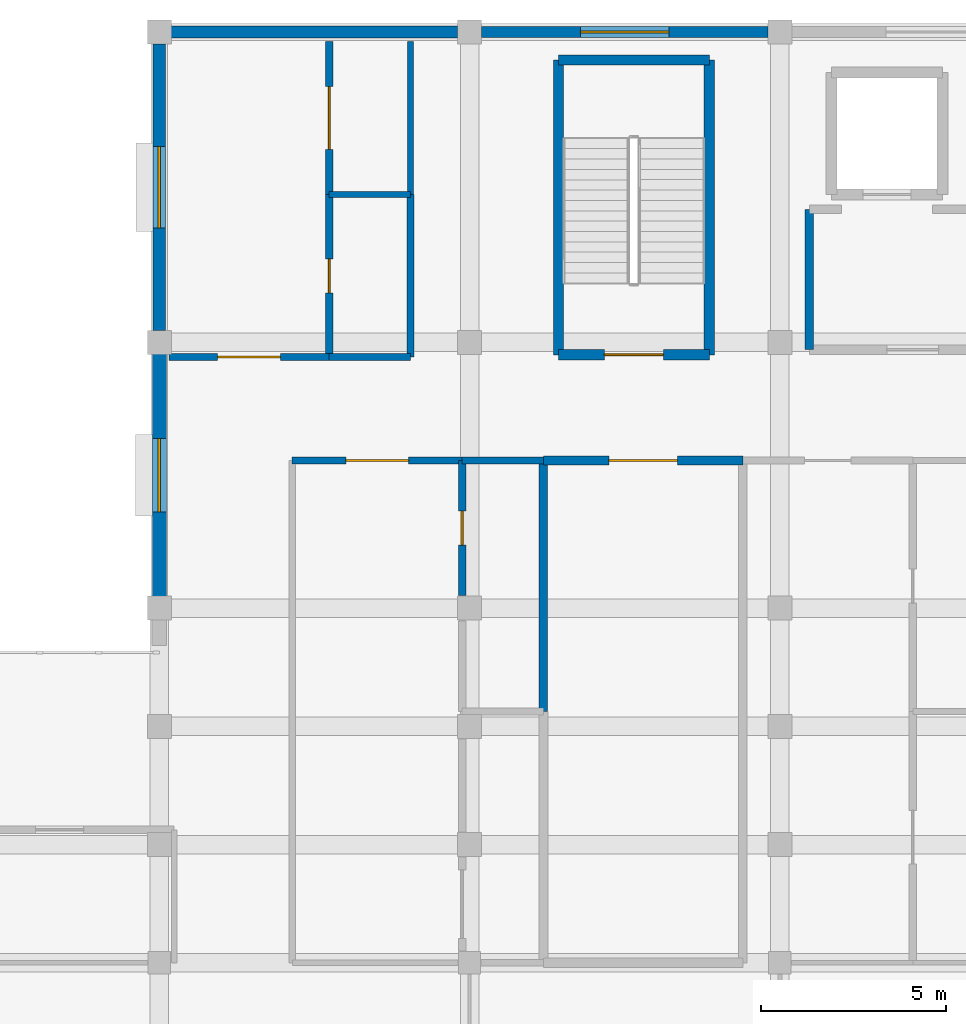
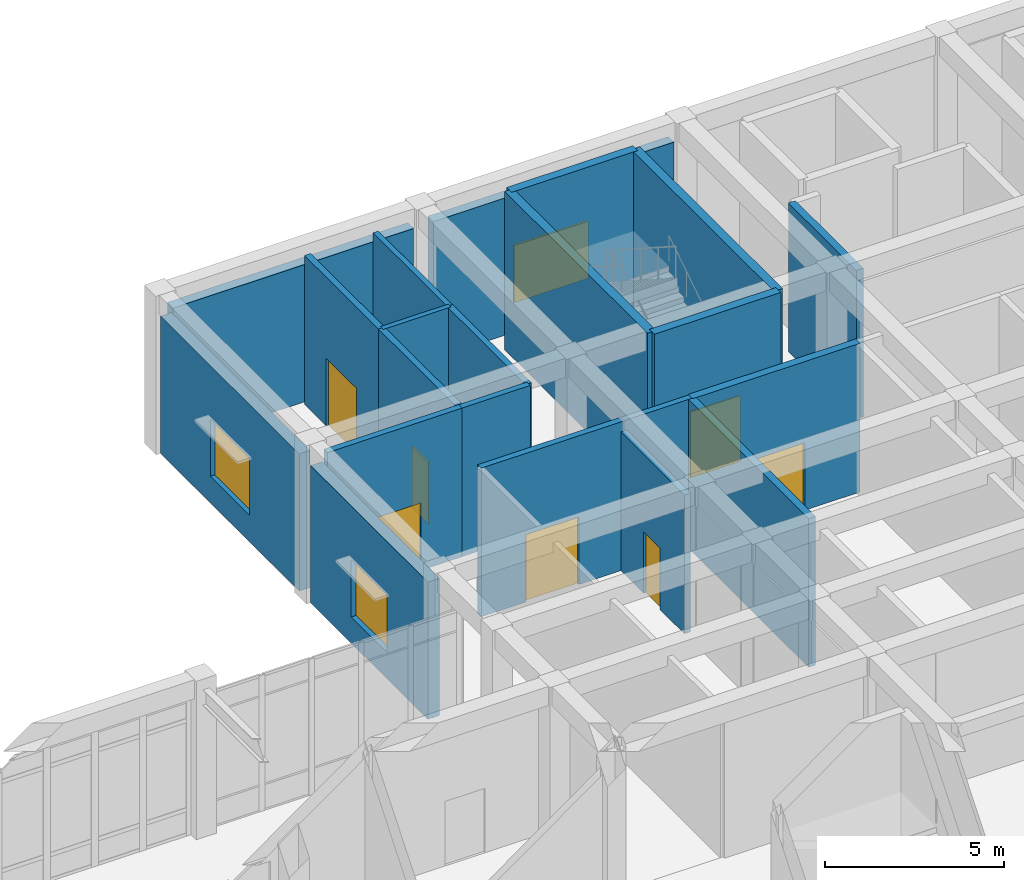
# One storey, part 63 of 89: 21 walls, 7 doors, 3 windows, 10 openings.
"""IFC4 building model written with IfcOpenShell, lengths in metres."""

from ifc_helpers import new_model, si_unit, direction, frame, frame_2d, origin, place, context, subcontext, project, spatial, rectangle, extrude, material, layer, layer_set, type_object, element, fill, save


model = new_model("IFC4")

# Units and contexts
model_context = context("Model", 3, precision=1e-05, world=origin(), true_north=direction((0.0, 1.0)))
body_context = subcontext(model_context, "Body", "Model", "MODEL_VIEW")
ifc_project = project(units=[si_unit("LENGTHUNIT", "METRE"), si_unit("AREAUNIT", "SQUARE_METRE"), si_unit("VOLUMEUNIT", "CUBIC_METRE"), si_unit("PLANEANGLEUNIT", "RADIAN"), si_unit("MASSUNIT", "GRAM", prefix="KILO")], contexts=[model_context])

# Site, building, storey
site_placement = place(None, origin())
site = spatial("IfcSite", under=ifc_project, at=site_placement, CompositionType="ELEMENT")
building_placement = place(site_placement, origin())
building = spatial("IfcBuilding", under=site, at=building_placement, Name="Varncliffe General Hospital", CompositionType="ELEMENT")
storey_placement = place(building_placement, frame((0.0, 0.0, 10.800048828125)))
storey = spatial("IfcBuildingStorey", under=building, at=storey_placement, Name="L02", CompositionType="ELEMENT", Elevation=10.800048828125)

# Wall, opening, window
ifc_material_1 = material(Name="Precast concrete C40/50 with insulated cream lime-cement stucco", Category="concrete")
ifc_layer_1 = layer(ifc_material_1, 0.31005859375)
ifc_layer_set_1 = layer_set([ifc_layer_1], Name="Precast concrete C40/50 with insulated cream lime-cement stucco")
wall_type_1 = type_object("IfcWallType", Name="Exterior Insulated Stucco Wall EW20 (310mm)", PredefinedType="SOLIDWALL", material=ifc_layer_set_1)
wall_1_placement = place(storey_placement, frame((117.923095703125, 124.800048828125, 0.0), z_axis=(0.0, 0.0, 1.0), x_axis=(1.0, 0.0, 0.0)))
wall_1 = element("IfcWall", 1, at=wall_1_placement, inside=storey, type_object=wall_type_1, Name="L02 Exterior Stucco Wall EW20-187", PredefinedType="SOLIDWALL", context=body_context, shape_type="SweptSolid", body=[
    extrude(rectangle(XDim=7.75390625, YDim=0.31005859375, at=frame_2d((3.876953125, 0.0))), origin(), (0.0, 0.0, 1.0), 4.679931640625),
])
opening_1_placement = place(wall_1_placement, frame((2.677001953125, 0.0, 0.89990234375)))
opening_1 = element("IfcOpeningElement", 2, at=opening_1_placement, cuts=wall_1, Name="Opening WN16", PredefinedType="OPENING", context=body_context, shape_type="SweptSolid", body=[
    extrude(rectangle(XDim=2.39990234375, YDim=1.949951171875, at=frame_2d((1.199951171875, 0.97509765625))), frame((0.0, 0.1650390625, 0.0), z_axis=(0.0, -1.0, 0.0), x_axis=(1.0, 0.0, 0.0)), (0.0, 0.0, 1.0), 0.330078125),
])
ifc_material_2 = material(Name="Triple low-E argon insulated vision glazing", Category="glass")
window_type_1 = type_object("IfcWindowType", Name="Triple-Glazed Hospital Window WN16 (2400x1950)", PartitioningType="DOUBLE_PANEL_VERTICAL", PredefinedType="WINDOW", material=ifc_material_2)
window_1_placement = place(opening_1_placement, origin())
window_1 = element("IfcWindow", 3, at=window_1_placement, inside=storey, type_object=window_type_1, Name="L02 Hospital Window WN16-119", OverallHeight=1.949951171875, OverallWidth=2.39990234375, PartitioningType="DOUBLE_PANEL_VERTICAL", PredefinedType="WINDOW", context=body_context, shape_type="SweptSolid", body=[
    extrude(rectangle(XDim=2.39990234375, YDim=1.949951171875, at=frame_2d((1.199951171875, 0.97509765625))), frame((0.0, 0.030029296875, 0.0), z_axis=(0.0, -1.0, 0.0), x_axis=(1.0, 0.0, 0.0)), (0.0, 0.0, 1.0), 0.06005859375),
])
fill(opening_1, window_1)

ifc_layer_2 = layer(ifc_material_1, 0.3798828125)
ifc_layer_set_2 = layer_set([ifc_layer_2], Name="Precast concrete C40/50 with insulated cream lime-cement stucco")
wall_type_2 = type_object("IfcWallType", Name="Exterior Insulated Stucco Wall EW26 (380mm)", PredefinedType="SOLIDWALL", material=ifc_layer_set_2)
wall_2_placement = place(storey_placement, frame((109.199951171875, 109.52294921875, 0.0), z_axis=(0.0, 0.0, 1.0), x_axis=(0.0, 1.0, 0.0)))
wall_2 = element("IfcWall", 4, at=wall_2_placement, inside=storey, type_object=wall_type_2, Name="L02 Exterior Stucco Wall EW26-184", PredefinedType="SOLIDWALL", context=body_context, shape_type="SweptSolid", body=[
    extrude(rectangle(XDim=6.553955078125, YDim=0.3798828125, at=frame_2d((3.27685546875, 0.0))), origin(), (0.0, 0.0, 1.0), 4.679931640625),
])
opening_2_placement = place(wall_2_placement, frame((2.277099609375, 0.0, 0.89990234375)))
opening_2 = element("IfcOpeningElement", 5, at=opening_2_placement, cuts=wall_2, Name="Opening WN79", PredefinedType="OPENING", context=body_context, shape_type="SweptSolid", body=[
    extrude(rectangle(XDim=2.0, YDim=1.949951171875, at=frame_2d((1.0, 0.97509765625))), frame((0.0, 0.199951171875, 0.0), z_axis=(0.0, -1.0, 0.0), x_axis=(1.0, 0.0, 0.0)), (0.0, 0.0, 1.0), 0.39990234375),
])
window_type_2 = type_object("IfcWindowType", Name="Triple-Glazed Hospital Window WN79 (2000x1950)", PartitioningType="DOUBLE_PANEL_VERTICAL", PredefinedType="WINDOW", material=ifc_material_2)
window_2_placement = place(opening_2_placement, origin())
window_2 = element("IfcWindow", 6, at=window_2_placement, inside=storey, type_object=window_type_2, Name="L02 Hospital Window WN79-117", OverallHeight=1.949951171875, OverallWidth=2.0, PartitioningType="DOUBLE_PANEL_VERTICAL", PredefinedType="WINDOW", context=body_context, shape_type="SweptSolid", body=[
    extrude(rectangle(XDim=2.0, YDim=1.949951171875, at=frame_2d((1.0, 0.97509765625))), frame((0.0, 0.030029296875, 0.0), z_axis=(0.0, -1.0, 0.0), x_axis=(1.0, 0.0, 0.0)), (0.0, 0.0, 1.0), 0.06005859375),
])
fill(opening_2, window_2)

# Wall
ifc_layer_3 = layer(ifc_material_1, 0.330078125)
ifc_layer_set_3 = layer_set([ifc_layer_3], Name="Precast concrete C40/50 with insulated cream lime-cement stucco")
wall_type_3 = type_object("IfcWallType", Name="Exterior Insulated Stucco Wall EW33 (330mm)", PredefinedType="SOLIDWALL", material=ifc_layer_set_3)
wall_3_placement = place(storey_placement, frame((109.52294921875, 124.800048828125, 0.0), z_axis=(0.0, 0.0, 1.0), x_axis=(1.0, 0.0, 0.0)))
element("IfcWall", 7, at=wall_3_placement, inside=storey, type_object=wall_type_3, Name="L02 Exterior Stucco Wall EW33-186", PredefinedType="SOLIDWALL", context=body_context, shape_type="SweptSolid", body=[
    extrude(rectangle(XDim=7.754150390625, YDim=0.330078125, at=frame_2d((3.876953125, 0.0))), origin(), (0.0, 0.0, 1.0), 4.679931640625),
])

# Wall, opening, window
ifc_layer_4 = layer(ifc_material_1, 0.35009765625)
ifc_layer_set_4 = layer_set([ifc_layer_4], Name="Precast concrete C40/50 with insulated cream lime-cement stucco")
wall_type_4 = type_object("IfcWallType", Name="Exterior Insulated Stucco Wall EW37 (350mm)", PredefinedType="SOLIDWALL", material=ifc_layer_set_4)
wall_4_placement = place(storey_placement, frame((109.199951171875, 116.722900390625, 0.0), z_axis=(0.0, 0.0, 1.0), x_axis=(0.0, 1.0, 0.0)))
wall_4 = element("IfcWall", 8, at=wall_4_placement, inside=storey, type_object=wall_type_4, Name="L02 Exterior Stucco Wall EW37-185", PredefinedType="SOLIDWALL", context=body_context, shape_type="SweptSolid", body=[
    extrude(rectangle(XDim=7.754150390625, YDim=0.35009765625, at=frame_2d((3.876953125, 0.0))), origin(), (0.0, 0.0, 1.0), 4.679931640625),
])
opening_3_placement = place(wall_4_placement, frame((2.777099609375, 0.0, 0.89990234375)))
opening_3 = element("IfcOpeningElement", 9, at=opening_3_placement, cuts=wall_4, Name="Opening WN35", PredefinedType="OPENING", context=body_context, shape_type="SweptSolid", body=[
    extrude(rectangle(XDim=2.199951171875, YDim=1.949951171875, at=frame_2d((1.10009765625, 0.97509765625))), frame((0.0, 0.18505859375, 0.0), z_axis=(0.0, -1.0, 0.0), x_axis=(1.0, 0.0, 0.0)), (0.0, 0.0, 1.0), 0.3701171875),
])
window_type_3 = type_object("IfcWindowType", Name="Triple-Glazed Hospital Window WN35 (2200x1950)", PartitioningType="DOUBLE_PANEL_VERTICAL", PredefinedType="WINDOW", material=ifc_material_2)
window_3_placement = place(opening_3_placement, origin())
window_3 = element("IfcWindow", 10, at=window_3_placement, inside=storey, type_object=window_type_3, Name="L02 Hospital Window WN35-118", OverallHeight=1.949951171875, OverallWidth=2.199951171875, PartitioningType="DOUBLE_PANEL_VERTICAL", PredefinedType="WINDOW", context=body_context, shape_type="SweptSolid", body=[
    extrude(rectangle(XDim=2.199951171875, YDim=1.949951171875, at=frame_2d((1.10009765625, 0.97509765625))), frame((0.0, 0.030029296875, 0.0), z_axis=(0.0, -1.0, 0.0), x_axis=(1.0, 0.0, 0.0)), (0.0, 0.0, 1.0), 0.06005859375),
])
fill(opening_3, window_3)

# Wall
ifc_material_3 = material(Name="Acoustic clinical gypsum stud partition assembly", Category="gypsum")
ifc_layer_5 = layer(ifc_material_3, 0.169921875)
ifc_layer_set_5 = layer_set([ifc_layer_5], Name="Acoustic clinical gypsum stud partition assembly")
wall_type_5 = type_object("IfcWallType", Name="Interior Partitioning IW20 (170mm)", PredefinedType="PARTITIONING", material=ifc_layer_set_5)
wall_5_placement = place(storey_placement, frame((116.0, 120.39990234375, 0.0), z_axis=(0.0, 0.0, 1.0), x_axis=(0.0, 1.0, 0.0)))
element("IfcWall", 11, at=wall_5_placement, inside=storey, type_object=wall_type_5, Name="L02 Interior Partition Wall IW20-1225", PredefinedType="PARTITIONING", context=body_context, shape_type="SweptSolid", body=[
    extrude(rectangle(XDim=4.14013671875, YDim=0.169921875, at=frame_2d((2.070068359375, 0.0))), origin(), (0.0, 0.0, 1.0), 5.070068359375),
])

# Wall, opening, door
ifc_material_4 = material(Name="Fire-rated gypsum and mineral-wool partition assembly", Category="gypsum")
ifc_layer_6 = layer(ifc_material_4, 0.25)
ifc_layer_set_6 = layer_set([ifc_layer_6], Name="Fire-rated gypsum and mineral-wool partition assembly")
wall_type_6 = type_object("IfcWallType", Name="Interior Partitioning PW38 (250mm)", PredefinedType="PARTITIONING", material=ifc_layer_set_6)
wall_6_placement = place(storey_placement, frame((119.60009765625, 113.199951171875, 0.0), z_axis=(0.0, 0.0, 1.0), x_axis=(1.0, 0.0, 0.0)))
wall_6 = element("IfcWall", 12, at=wall_6_placement, inside=storey, type_object=wall_type_6, Name="L02 Interior Partition Wall PW38-1079", PredefinedType="PARTITIONING", context=body_context, shape_type="SweptSolid", body=[
    extrude(rectangle(XDim=5.39990234375, YDim=0.25, at=frame_2d((2.699951171875, 0.0))), origin(), (0.0, 0.0, 1.0), 5.070068359375),
])
opening_4_placement = place(wall_6_placement, frame((1.77490234375, 0.0, 0.0)))
opening_4 = element("IfcOpeningElement", 13, at=opening_4_placement, cuts=wall_6, Name="Opening DC38", PredefinedType="OPENING", context=body_context, shape_type="SweptSolid", body=[
    extrude(rectangle(XDim=1.85009765625, YDim=2.300048828125, at=frame_2d((0.925048828125, 1.14990234375))), frame((0.0, 0.135009765625, 0.0), z_axis=(0.0, -1.0, 0.0), x_axis=(1.0, 0.0, 0.0)), (0.0, 0.0, 1.0), 0.27001953125),
])
ifc_material_5 = material(Name="Fire-rated hospital steel-frame vision-panel door", Category="steel")
door_type_1 = type_object("IfcDoorType", Name="Interior Hospital Door DC38 (1850x2300)", OperationType="NOTDEFINED", PredefinedType="DOOR", material=ifc_material_5)
door_1_placement = place(opening_4_placement, frame((1.85009765625, 0.0, 0.0), z_axis=(0.0, 0.0, 1.0), x_axis=(-1.0, 0.0, 0.0)))
door_1 = element("IfcDoor", 14, at=door_1_placement, inside=storey, type_object=door_type_1, Name="L02 Surgical Sub-Sterile Utility Store 130 Door", OperationType="SINGLE_SWING_LEFT", OverallHeight=2.300048828125, OverallWidth=1.85009765625, PredefinedType="DOOR", context=body_context, shape_type="SweptSolid", body=[
    extrude(rectangle(XDim=1.85009765625, YDim=2.300048828125, at=frame_2d((0.925048828125, 1.14990234375))), frame((0.0, 0.02490234375, 0.0), z_axis=(0.0, -1.0, 0.0), x_axis=(1.0, 0.0, 0.0)), (0.0, 0.0, 1.0), 0.050048828125),
])
fill(opening_4, door_1)

# Walls
ifc_layer_7 = layer(ifc_material_4, 0.22998046875)
ifc_layer_set_7 = layer_set([ifc_layer_7], Name="Fire-rated gypsum and mineral-wool partition assembly")
wall_type_7 = type_object("IfcWallType", Name="Interior Partitioning PW48 (230mm)", PredefinedType="PARTITIONING", material=ifc_layer_set_7)
wall_7_placement = place(storey_placement, frame((119.60009765625, 106.39990234375, 0.0), z_axis=(0.0, 0.0, 1.0), x_axis=(0.0, 1.0, 0.0)))
element("IfcWall", 15, at=wall_7_placement, inside=storey, type_object=wall_type_7, Name="L02 Interior Partition Wall PW48-1234", PredefinedType="PARTITIONING", context=body_context, shape_type="SweptSolid", body=[
    extrude(rectangle(XDim=6.800048828125, YDim=0.22998046875, at=frame_2d((3.39990234375, 0.0))), origin(), (0.0, 0.0, 1.0), 5.070068359375),
])
wall_8_placement = place(storey_placement, frame((126.800048828125, 116.199951171875, 0.0), z_axis=(0.0, 0.0, 1.0), x_axis=(0.0, 1.0, 0.0)))
element("IfcWall", 16, at=wall_8_placement, inside=storey, type_object=wall_type_7, Name="L02 Interior Partition Wall PW48-1244", PredefinedType="PARTITIONING", context=body_context, shape_type="SweptSolid", body=[
    extrude(rectangle(XDim=3.800048828125, YDim=0.22998046875, at=frame_2d((1.89990234375, 0.0))), origin(), (0.0, 0.0, 1.0), 5.070068359375),
])

# Wall, opening, door
ifc_layer_8 = layer(ifc_material_4, 0.199951171875)
ifc_layer_set_8 = layer_set([ifc_layer_8], Name="Fire-rated gypsum and mineral-wool partition assembly")
wall_type_8 = type_object("IfcWallType", Name="Interior Partitioning PW63 (200mm)", PredefinedType="PARTITIONING", material=ifc_layer_set_8)
wall_9_placement = place(storey_placement, frame((112.800048828125, 113.199951171875, 0.0), z_axis=(0.0, 0.0, 1.0), x_axis=(1.0, 0.0, 0.0)))
wall_9 = element("IfcWall", 17, at=wall_9_placement, inside=storey, type_object=wall_type_8, Name="L02 Interior Partition Wall PW63-1077", PredefinedType="PARTITIONING", context=body_context, shape_type="SweptSolid", body=[
    extrude(rectangle(XDim=4.599853515625, YDim=0.199951171875, at=frame_2d((2.2998046875, 0.0))), origin(), (0.0, 0.0, 1.0), 5.070068359375),
])
opening_5_placement = place(wall_9_placement, frame((1.449951171875, 0.0, 0.0)))
opening_5 = element("IfcOpeningElement", 18, at=opening_5_placement, cuts=wall_9, Name="Opening DC50", PredefinedType="OPENING", context=body_context, shape_type="SweptSolid", body=[
    extrude(rectangle(XDim=1.699951171875, YDim=2.300048828125, at=frame_2d((0.85009765625, 1.14990234375))), frame((0.0, 0.10986328125, 0.0), z_axis=(0.0, -1.0, 0.0), x_axis=(1.0, 0.0, 0.0)), (0.0, 0.0, 1.0), 0.219970703125),
])
door_type_2 = type_object("IfcDoorType", Name="Interior Hospital Door DC50 (1700x2300)", OperationType="NOTDEFINED", PredefinedType="DOOR", material=ifc_material_5)
door_2_placement = place(opening_5_placement, frame((1.699951171875, 0.0, 0.0), z_axis=(0.0, 0.0, 1.0), x_axis=(-1.0, 0.0, 0.0)))
door_2 = element("IfcDoor", 19, at=door_2_placement, inside=storey, type_object=door_type_2, Name="L02 Surgical Inpatient Ward Room 127 Door", OperationType="SINGLE_SWING_RIGHT", OverallHeight=2.300048828125, OverallWidth=1.699951171875, PredefinedType="DOOR", context=body_context, shape_type="SweptSolid", body=[
    extrude(rectangle(XDim=1.699951171875, YDim=2.300048828125, at=frame_2d((0.85009765625, 1.14990234375))), frame((0.0, 0.02490234375, 0.0), z_axis=(0.0, -1.0, 0.0), x_axis=(1.0, 0.0, 0.0)), (0.0, 0.0, 1.0), 0.050048828125),
])
fill(opening_5, door_2)

wall_10_placement = place(storey_placement, frame((109.4599609375, 116.0, 0.0), z_axis=(0.0, 0.0, 1.0), x_axis=(1.0, 0.0, 0.0)))
wall_10 = element("IfcWall", 20, at=wall_10_placement, inside=storey, type_object=wall_type_8, Name="L02 Interior Partition Wall PW63-1097", PredefinedType="PARTITIONING", context=body_context, shape_type="SweptSolid", body=[
    extrude(rectangle(XDim=4.340087890625, YDim=0.199951171875, at=frame_2d((2.169921875, 0.0))), origin(), (0.0, 0.0, 1.0), 5.070068359375),
])
opening_6_placement = place(wall_10_placement, frame((1.320068359375, 0.0, 0.0)))
opening_6 = element("IfcOpeningElement", 21, at=opening_6_placement, cuts=wall_10, Name="Opening DC50", PredefinedType="OPENING", context=body_context, shape_type="SweptSolid", body=[
    extrude(rectangle(XDim=1.699951171875, YDim=2.300048828125, at=frame_2d((0.85009765625, 1.14990234375))), frame((0.0, 0.10986328125, 0.0), z_axis=(0.0, -1.0, 0.0), x_axis=(1.0, 0.0, 0.0)), (0.0, 0.0, 1.0), 0.219970703125),
])
door_3_placement = place(opening_6_placement, origin())
door_3 = element("IfcDoor", 22, at=door_3_placement, inside=storey, type_object=door_type_2, Name="L02 Surgical Inpatient Ward Room 151 Door", OperationType="SINGLE_SWING_RIGHT", OverallHeight=2.300048828125, OverallWidth=1.699951171875, PredefinedType="DOOR", context=body_context, shape_type="SweptSolid", body=[
    extrude(rectangle(XDim=1.699951171875, YDim=2.300048828125, at=frame_2d((0.85009765625, 1.14990234375))), frame((0.0, 0.02490234375, 0.0), z_axis=(0.0, -1.0, 0.0), x_axis=(1.0, 0.0, 0.0)), (0.0, 0.0, 1.0), 0.050048828125),
])
fill(opening_6, door_3)

wall_11_placement = place(storey_placement, frame((113.800048828125, 116.0, 0.0), z_axis=(0.0, 0.0, 1.0), x_axis=(0.0, 1.0, 0.0)))
wall_11 = element("IfcWall", 23, at=wall_11_placement, inside=storey, type_object=wall_type_8, Name="L02 Interior Partition Wall PW63-1222", PredefinedType="PARTITIONING", context=body_context, shape_type="SweptSolid", body=[
    extrude(rectangle(XDim=4.39990234375, YDim=0.199951171875, at=frame_2d((2.199951171875, 0.0))), origin(), (0.0, 0.0, 1.0), 5.070068359375),
])
opening_7_placement = place(wall_11_placement, frame((1.739990234375, 0.0, 0.0)))
opening_7 = element("IfcOpeningElement", 24, at=opening_7_placement, cuts=wall_11, Name="Opening DI70", PredefinedType="OPENING", context=body_context, shape_type="SweptSolid", body=[
    extrude(rectangle(XDim=0.919921875, YDim=2.10009765625, at=frame_2d((0.4599609375, 1.050048828125))), frame((0.0, 0.10986328125, 0.0), z_axis=(0.0, -1.0, 0.0), x_axis=(1.0, 0.0, 0.0)), (0.0, 0.0, 1.0), 0.219970703125),
])
ifc_material_6 = material(Name="Solid-core antimicrobial hospital oak veneer door", Category="wood")
door_type_3 = type_object("IfcDoorType", Name="Interior Hospital Door DI70 (920x2100)", OperationType="NOTDEFINED", PredefinedType="DOOR", material=ifc_material_6)
door_4_placement = place(opening_7_placement, frame((0.919921875, 0.0, 0.0), z_axis=(0.0, 0.0, 1.0), x_axis=(-1.0, 0.0, 0.0)))
door_4 = element("IfcDoor", 25, at=door_4_placement, inside=storey, type_object=door_type_3, Name="L02 En-Suite Bathroom 152 Door", OperationType="SINGLE_SWING_LEFT", OverallHeight=2.10009765625, OverallWidth=0.919921875, PredefinedType="DOOR", context=body_context, shape_type="SweptSolid", body=[
    extrude(rectangle(XDim=0.919921875, YDim=2.10009765625, at=frame_2d((0.4599609375, 1.050048828125))), frame((0.0, 0.02490234375, 0.0), z_axis=(0.0, -1.0, 0.0), x_axis=(1.0, 0.0, 0.0)), (0.0, 0.0, 1.0), 0.050048828125),
])
fill(opening_7, door_4)

wall_12_placement = place(storey_placement, frame((113.800048828125, 120.39990234375, 0.0), z_axis=(0.0, 0.0, 1.0), x_axis=(0.0, 1.0, 0.0)))
wall_12 = element("IfcWall", 26, at=wall_12_placement, inside=storey, type_object=wall_type_8, Name="L02 Interior Partition Wall PW63-1223", PredefinedType="PARTITIONING", context=body_context, shape_type="SweptSolid", body=[
    extrude(rectangle(XDim=4.14013671875, YDim=0.199951171875, at=frame_2d((2.070068359375, 0.0))), origin(), (0.0, 0.0, 1.0), 5.070068359375),
])
opening_8_placement = place(wall_12_placement, frame((1.219970703125, 0.0, 0.0)))
opening_8 = element("IfcOpeningElement", 27, at=opening_8_placement, cuts=wall_12, Name="Opening DC50", PredefinedType="OPENING", context=body_context, shape_type="SweptSolid", body=[
    extrude(rectangle(XDim=1.699951171875, YDim=2.300048828125, at=frame_2d((0.85009765625, 1.14990234375))), frame((0.0, 0.10986328125, 0.0), z_axis=(0.0, -1.0, 0.0), x_axis=(1.0, 0.0, 0.0)), (0.0, 0.0, 1.0), 0.219970703125),
])
door_5_placement = place(opening_8_placement, frame((1.699951171875, 0.0, 0.0), z_axis=(0.0, 0.0, 1.0), x_axis=(-1.0, 0.0, 0.0)))
door_5 = element("IfcDoor", 28, at=door_5_placement, inside=storey, type_object=door_type_2, Name="L02 Patient Medication and Hygiene Bay 153 Door", OperationType="SINGLE_SWING_RIGHT", OverallHeight=2.300048828125, OverallWidth=1.699951171875, PredefinedType="DOOR", context=body_context, shape_type="SweptSolid", body=[
    extrude(rectangle(XDim=1.699951171875, YDim=2.300048828125, at=frame_2d((0.85009765625, 1.14990234375))), frame((0.0, 0.02490234375, 0.0), z_axis=(0.0, -1.0, 0.0), x_axis=(1.0, 0.0, 0.0)), (0.0, 0.0, 1.0), 0.050048828125),
])
fill(opening_8, door_5)

wall_13_placement = place(storey_placement, frame((117.39990234375, 109.5400390625, 0.0), z_axis=(0.0, 0.0, 1.0), x_axis=(0.0, 1.0, 0.0)))
wall_13 = element("IfcWall", 29, at=wall_13_placement, inside=storey, type_object=wall_type_8, Name="L02 Interior Partition Wall PW63-1228", PredefinedType="PARTITIONING", context=body_context, shape_type="SweptSolid", body=[
    extrude(rectangle(XDim=3.659912109375, YDim=0.199951171875, at=frame_2d((1.830078125, 0.0))), origin(), (0.0, 0.0, 1.0), 4.73486328125),
])
opening_9_placement = place(wall_13_placement, frame((1.3701171875, 0.0, 0.0)))
opening_9 = element("IfcOpeningElement", 30, at=opening_9_placement, cuts=wall_13, Name="Opening DI70", PredefinedType="OPENING", context=body_context, shape_type="SweptSolid", body=[
    extrude(rectangle(XDim=0.919921875, YDim=2.10009765625, at=frame_2d((0.4599609375, 1.050048828125))), frame((0.0, 0.10986328125, 0.0), z_axis=(0.0, -1.0, 0.0), x_axis=(1.0, 0.0, 0.0)), (0.0, 0.0, 1.0), 0.219970703125),
])
door_6_placement = place(opening_9_placement, frame((0.919921875, 0.0, 0.0), z_axis=(0.0, 0.0, 1.0), x_axis=(-1.0, 0.0, 0.0)))
door_6 = element("IfcDoor", 31, at=door_6_placement, inside=storey, type_object=door_type_3, Name="L02 En-Suite Bathroom 128 Door", OperationType="SINGLE_SWING_RIGHT", OverallHeight=2.10009765625, OverallWidth=0.919921875, PredefinedType="DOOR", context=body_context, shape_type="SweptSolid", body=[
    extrude(rectangle(XDim=0.919921875, YDim=2.10009765625, at=frame_2d((0.4599609375, 1.050048828125))), frame((0.0, 0.02490234375, 0.0), z_axis=(0.0, -1.0, 0.0), x_axis=(1.0, 0.0, 0.0)), (0.0, 0.0, 1.0), 0.050048828125),
])
fill(opening_9, door_6)

# Walls
ifc_material_7 = material(Name="Moisture-resistant plumbing chase wall assembly", Category="gypsum")
ifc_layer_9 = layer(ifc_material_7, 0.18994140625)
ifc_layer_set_9 = layer_set([ifc_layer_9], Name="Moisture-resistant plumbing chase wall assembly")
wall_type_9 = type_object("IfcWallType", Name="Interior Plumbingwall MW17 (190mm)", PredefinedType="PLUMBINGWALL", material=ifc_layer_set_9)
wall_14_placement = place(storey_placement, frame((117.39990234375, 113.199951171875, 0.0), z_axis=(0.0, 0.0, 1.0), x_axis=(1.0, 0.0, 0.0)))
element("IfcWall", 32, at=wall_14_placement, inside=storey, type_object=wall_type_9, Name="L02 Interior Plumbing Wall MW17-1078", PredefinedType="PLUMBINGWALL", context=body_context, shape_type="SweptSolid", body=[
    extrude(rectangle(XDim=2.2001953125, YDim=0.18994140625, at=frame_2d((1.10009765625, 0.0))), origin(), (0.0, 0.0, 1.0), 5.070068359375),
])
wall_15_placement = place(storey_placement, frame((113.800048828125, 116.0, 0.0), z_axis=(0.0, 0.0, 1.0), x_axis=(1.0, 0.0, 0.0)))
element("IfcWall", 33, at=wall_15_placement, inside=storey, type_object=wall_type_9, Name="L02 Interior Plumbing Wall MW17-1098", PredefinedType="PLUMBINGWALL", context=body_context, shape_type="SweptSolid", body=[
    extrude(rectangle(XDim=2.199951171875, YDim=0.18994140625, at=frame_2d((1.10009765625, 0.0))), origin(), (0.0, 0.0, 1.0), 5.070068359375),
])
wall_16_placement = place(storey_placement, frame((116.0, 116.0, 0.0), z_axis=(0.0, 0.0, 1.0), x_axis=(0.0, 1.0, 0.0)))
element("IfcWall", 34, at=wall_16_placement, inside=storey, type_object=wall_type_9, Name="L02 Interior Plumbing Wall MW17-1224", PredefinedType="PLUMBINGWALL", context=body_context, shape_type="SweptSolid", body=[
    extrude(rectangle(XDim=4.39990234375, YDim=0.18994140625, at=frame_2d((2.199951171875, 0.0))), origin(), (0.0, 0.0, 1.0), 5.070068359375),
])
ifc_layer_10 = layer(ifc_material_7, 0.159912109375)
ifc_layer_set_10 = layer_set([ifc_layer_10], Name="Moisture-resistant plumbing chase wall assembly")
wall_type_10 = type_object("IfcWallType", Name="Interior Plumbingwall MW31 (160mm)", PredefinedType="PLUMBINGWALL", material=ifc_layer_set_10)
wall_17_placement = place(storey_placement, frame((113.800048828125, 120.39990234375, 0.0), z_axis=(0.0, 0.0, 1.0), x_axis=(1.0, 0.0, 0.0)))
element("IfcWall", 35, at=wall_17_placement, inside=storey, type_object=wall_type_10, Name="L02 Interior Plumbing Wall MW31-1119", PredefinedType="PLUMBINGWALL", context=body_context, shape_type="SweptSolid", body=[
    extrude(rectangle(XDim=2.199951171875, YDim=0.159912109375, at=frame_2d((1.10009765625, 0.0))), origin(), (0.0, 0.0, 1.0), 5.070068359375),
])
ifc_material_8 = material(Name="Concrete C40/50 (CSA A23.1 40 MPa)", Category="concrete")
ifc_layer_11 = layer(ifc_material_8, 0.280029296875)
ifc_layer_set_11 = layer_set([ifc_layer_11], Name="Concrete C40/50 (CSA A23.1 40 MPa)")
wall_type_11 = type_object("IfcWallType", Name="Reinforced Concrete Core Shear Wall CW13 (280mm)", PredefinedType="SHEAR", material=ifc_layer_set_11)
wall_18_placement = place(storey_placement, frame((124.090087890625, 116.06005859375, 0.0), z_axis=(0.0, 0.0, 1.0), x_axis=(0.0, 1.0, 0.0)))
element("IfcWall", 36, at=wall_18_placement, inside=storey, type_object=wall_type_11, Name="L02 ST03 Core Shear Wall L", PredefinedType="SHEAR", context=body_context, shape_type="SweptSolid", body=[
    extrude(rectangle(XDim=7.97998046875, YDim=0.280029296875, at=frame_2d((3.989990234375, 0.0))), origin(), (0.0, 0.0, 1.0), 5.39990234375),
])
wall_19_placement = place(storey_placement, frame((124.090087890625, 124.0400390625, 0.0), z_axis=(0.0, 0.0, 1.0), x_axis=(-1.0, 0.0, 0.0)))
element("IfcWall", 37, at=wall_19_placement, inside=storey, type_object=wall_type_11, Name="L02 ST03 Core Shear Wall F", PredefinedType="SHEAR", context=body_context, shape_type="SweptSolid", body=[
    extrude(rectangle(XDim=4.080078125, YDim=0.280029296875, at=frame_2d((2.0400390625, 0.0))), origin(), (0.0, 0.0, 1.0), 5.39990234375),
])
wall_20_placement = place(storey_placement, frame((120.010009765625, 124.0400390625, 0.0), z_axis=(0.0, 0.0, 1.0), x_axis=(0.0, -1.0, 0.0)))
element("IfcWall", 38, at=wall_20_placement, inside=storey, type_object=wall_type_11, Name="L02 ST03 Core Shear Wall R", PredefinedType="SHEAR", context=body_context, shape_type="SweptSolid", body=[
    extrude(rectangle(XDim=7.97998046875, YDim=0.280029296875, at=frame_2d((3.989990234375, 0.0))), origin(), (0.0, 0.0, 1.0), 5.39990234375),
])

# Wall, opening, door
wall_21_placement = place(storey_placement, frame((120.010009765625, 116.06005859375, 0.0), z_axis=(0.0, 0.0, 1.0), x_axis=(1.0, 0.0, 0.0)))
wall_21 = element("IfcWall", 39, at=wall_21_placement, inside=storey, type_object=wall_type_11, Name="L02 ST03 Core Shear Wall N", PredefinedType="SHEAR", context=body_context, shape_type="SweptSolid", body=[
    extrude(rectangle(XDim=4.080078125, YDim=0.280029296875, at=frame_2d((2.0400390625, 0.0))), origin(), (0.0, 0.0, 1.0), 5.39990234375),
])
opening_10_placement = place(wall_21_placement, frame((1.239990234375, 0.0, 0.0)))
opening_10 = element("IfcOpeningElement", 40, at=opening_10_placement, cuts=wall_21, Name="Opening DF27", PredefinedType="OPENING", context=body_context, shape_type="SweptSolid", body=[
    extrude(rectangle(XDim=1.60009765625, YDim=2.25, at=frame_2d((0.800048828125, 1.125))), frame((0.0, 0.14990234375, 0.0), z_axis=(0.0, -1.0, 0.0), x_axis=(1.0, 0.0, 0.0)), (0.0, 0.0, 1.0), 0.300048828125),
])
door_type_4 = type_object("IfcDoorType", Name="Interior Hospital Door DF27 (1600x2250)", OperationType="NOTDEFINED", PredefinedType="DOOR", material=ifc_material_5)
door_7_placement = place(opening_10_placement, frame((1.60009765625, 0.0, 0.0), z_axis=(0.0, 0.0, 1.0), x_axis=(-1.0, 0.0, 0.0)))
door_7 = element("IfcDoor", 41, at=door_7_placement, inside=storey, type_object=door_type_4, Name="L02 ST03 Protected Exit Stair Door", OperationType="SINGLE_SWING_RIGHT", OverallHeight=2.25, OverallWidth=1.60009765625, PredefinedType="DOOR", context=body_context, shape_type="SweptSolid", body=[
    extrude(rectangle(XDim=1.60009765625, YDim=2.25, at=frame_2d((0.800048828125, 1.125))), frame((0.0, 0.02490234375, 0.0), z_axis=(0.0, -1.0, 0.0), x_axis=(1.0, 0.0, 0.0)), (0.0, 0.0, 1.0), 0.050048828125),
])
fill(opening_10, door_7)

save(model, "model.ifc")
